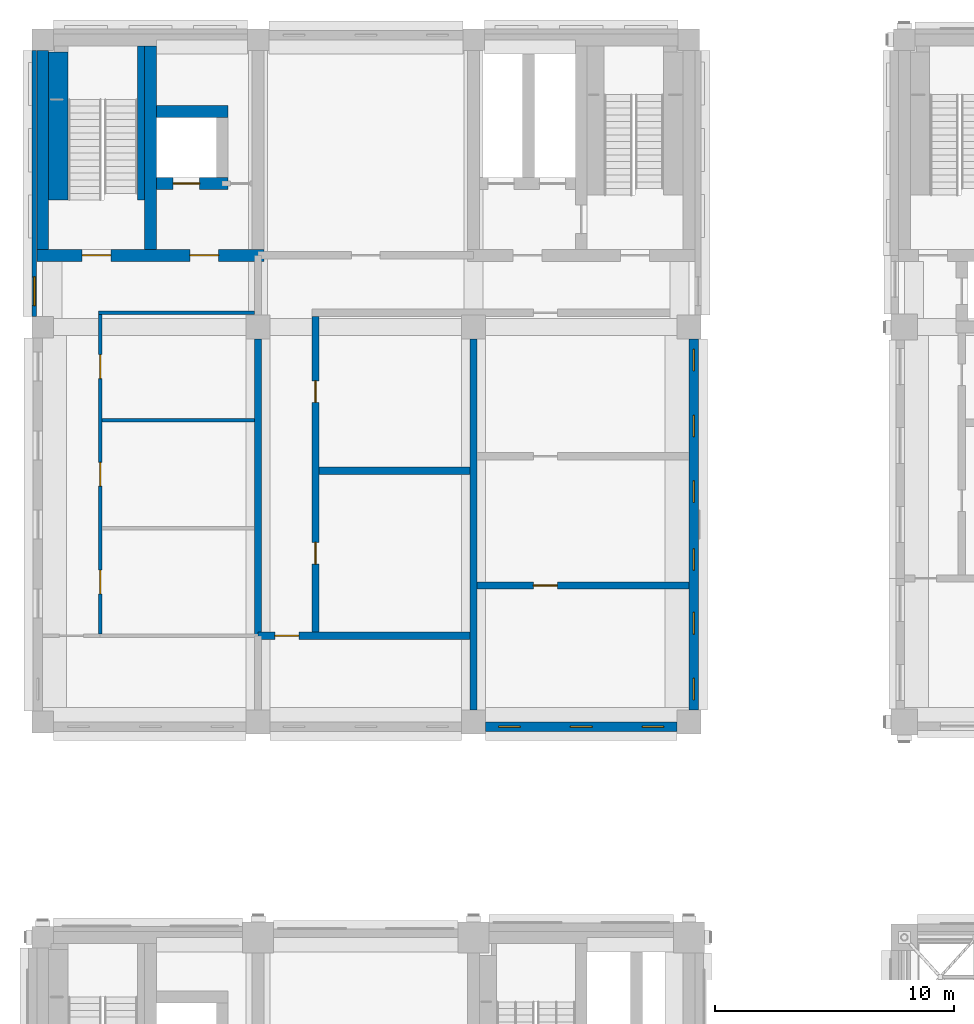
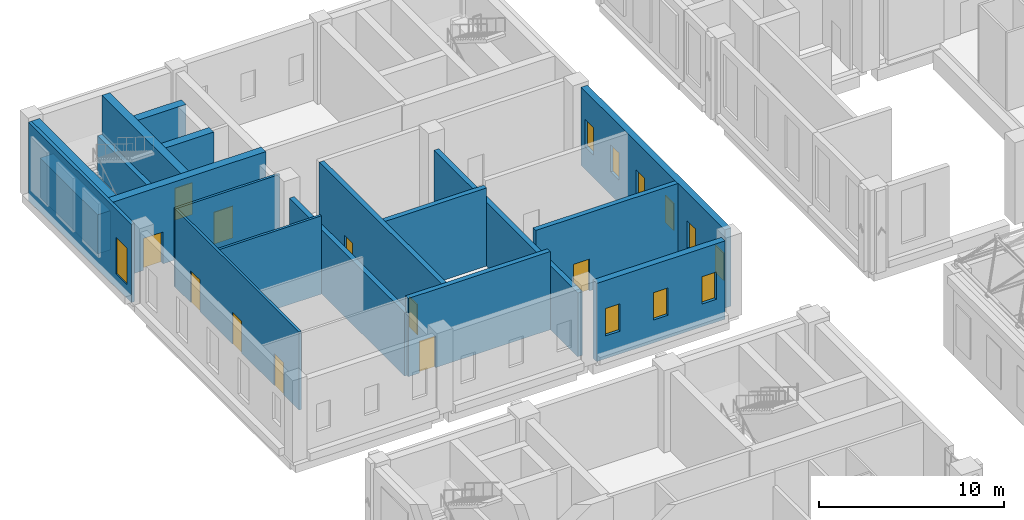
# One storey, part 29 of 53: 19 walls, 10 doors, 10 windows, 20 openings.
"""IFC4 building model written with IfcOpenShell, lengths in metres."""

from ifc_helpers import new_model, si_unit, direction, frame, frame_2d, origin, place, context, subcontext, project, spatial, rectangle, extrude, material, layer, layer_set, type_object, element, fill, save


model = new_model("IFC4")

# Units and contexts
model_context = context("Model", 3, precision=1e-05, world=origin(), true_north=direction((0.0, 1.0)))
body_context = subcontext(model_context, "Body", "Model", "MODEL_VIEW")
ifc_project = project(units=[si_unit("LENGTHUNIT", "METRE"), si_unit("AREAUNIT", "SQUARE_METRE"), si_unit("VOLUMEUNIT", "CUBIC_METRE"), si_unit("PLANEANGLEUNIT", "RADIAN"), si_unit("MASSUNIT", "GRAM", prefix="KILO")], contexts=[model_context])

# Site, building, storey
site_placement = place(None, origin())
site = spatial("IfcSite", under=ifc_project, at=site_placement, CompositionType="ELEMENT")
building_placement = place(site_placement, origin())
building = spatial("IfcBuilding", under=site, at=building_placement, Name="Aurelan Courthouse", CompositionType="ELEMENT")
storey_placement = place(building_placement, frame((0.0, 0.0, 12.0)))
storey = spatial("IfcBuildingStorey", under=building, at=storey_placement, Name="L02", CompositionType="ELEMENT", Elevation=12.0)

# Wall
ifc_material_1 = material(Name="Gypsum board on metal studs")
ifc_layer_1 = layer(ifc_material_1, 0.14990234375)
ifc_layer_set_1 = layer_set([ifc_layer_1], Name="Gypsum board on metal studs")
wall_type_1 = type_object("IfcWallType", Name="Corridor partition 150 EI 60", PredefinedType="PARTITIONING", material=ifc_layer_set_1)
wall_1_placement = place(storey_placement, frame((2.324951171875, 54.60009765625, 0.0), z_axis=(0.0, 0.0, 1.0), x_axis=(1.0, 0.0, 0.0)))
element("IfcWall", 1, at=wall_1_placement, inside=storey, type_object=wall_type_1, Name="Corridor partition L02-038", PredefinedType="PARTITIONING", context=body_context, shape_type="SweptSolid", body=[
    extrude(rectangle(XDim=6.525146484375, YDim=0.14990234375, at=frame_2d((3.2626953125, 0.0))), origin(), (0.0, 0.0, 1.0), 5.14990234375),
])

# Wall, openings, doors
wall_2_placement = place(storey_placement, frame((2.39990234375, 41.175048828125, 0.0), z_axis=(0.0, 0.0, 1.0), x_axis=(0.0, 1.0, 0.0)))
wall_2 = element("IfcWall", 2, at=wall_2_placement, inside=storey, type_object=wall_type_1, Name="Corridor partition L02-051", PredefinedType="PARTITIONING", context=body_context, shape_type="SweptSolid", body=[
    extrude(rectangle(XDim=13.349853515625, YDim=0.14990234375, at=frame_2d((6.6748046875, 0.0))), origin(), (0.0, 0.0, 1.0), 5.14990234375),
])
opening_1_placement = place(wall_2_placement, frame((11.675048828125, 0.0, 0.0), z_axis=(0.0, 0.0, 1.0), x_axis=(-1.0, 0.0, 0.0)))
opening_1 = element("IfcOpeningElement", 3, at=opening_1_placement, cuts=wall_2, Name="Opening D-L02-083", PredefinedType="OPENING", context=body_context, shape_type="SweptSolid", body=[
    extrude(rectangle(XDim=1.0, YDim=2.10009765625, at=frame_2d((0.5, 1.050048828125))), frame((0.0, 0.0849609375, 0.0), z_axis=(0.0, -1.0, 0.0), x_axis=(1.0, 0.0, 0.0)), (0.0, 0.0, 1.0), 0.169921875),
])
opening_2_placement = place(wall_2_placement, frame((7.175048828125, 0.0, 0.0), z_axis=(0.0, 0.0, 1.0), x_axis=(-1.0, 0.0, 0.0)))
opening_2 = element("IfcOpeningElement", 4, at=opening_2_placement, cuts=wall_2, Name="Opening D-L02-084", PredefinedType="OPENING", context=body_context, shape_type="SweptSolid", body=[
    extrude(rectangle(XDim=1.0, YDim=2.10009765625, at=frame_2d((0.5, 1.050048828125))), frame((0.0, 0.0849609375, 0.0), z_axis=(0.0, -1.0, 0.0), x_axis=(1.0, 0.0, 0.0)), (0.0, 0.0, 1.0), 0.169921875),
])
opening_3_placement = place(wall_2_placement, frame((2.675048828125, 0.0, 0.0), z_axis=(0.0, 0.0, 1.0), x_axis=(-1.0, 0.0, 0.0)))
opening_3 = element("IfcOpeningElement", 5, at=opening_3_placement, cuts=wall_2, Name="Opening D-L02-085", PredefinedType="OPENING", context=body_context, shape_type="SweptSolid", body=[
    extrude(rectangle(XDim=1.0, YDim=2.10009765625, at=frame_2d((0.5, 1.050048828125))), frame((0.0, 0.0849609375, 0.0), z_axis=(0.0, -1.0, 0.0), x_axis=(1.0, 0.0, 0.0)), (0.0, 0.0, 1.0), 0.169921875),
])
ifc_material_2 = material(Name="Steel", Category="steel")
door_type_1 = type_object("IfcDoorType", Name="Single door 1000 x 2100 FD60", OperationType="SINGLE_SWING_LEFT", PredefinedType="DOOR", material=ifc_material_2)
door_1_placement = place(opening_1_placement, origin())
door_1 = element("IfcDoor", 6, at=door_1_placement, inside=storey, type_object=door_type_1, Name="Single door D-L02-083", OperationType="SINGLE_SWING_LEFT", OverallHeight=2.10009765625, OverallWidth=1.0, PredefinedType="DOOR", context=body_context, shape_type="SweptSolid", body=[
    extrude(rectangle(XDim=1.0, YDim=2.10009765625, at=frame_2d((0.5, 1.050048828125))), frame((0.0, 0.02490234375, 0.0), z_axis=(0.0, -1.0, 0.0), x_axis=(1.0, 0.0, 0.0)), (0.0, 0.0, 1.0), 0.050048828125),
])
fill(opening_1, door_1)
door_2_placement = place(opening_2_placement, origin())
door_2 = element("IfcDoor", 7, at=door_2_placement, inside=storey, type_object=door_type_1, Name="Single door D-L02-084", OperationType="SINGLE_SWING_RIGHT", OverallHeight=2.10009765625, OverallWidth=1.0, PredefinedType="DOOR", context=body_context, shape_type="SweptSolid", body=[
    extrude(rectangle(XDim=1.0, YDim=2.10009765625, at=frame_2d((0.5, 1.050048828125))), frame((0.0, 0.02490234375, 0.0), z_axis=(0.0, -1.0, 0.0), x_axis=(1.0, 0.0, 0.0)), (0.0, 0.0, 1.0), 0.050048828125),
])
fill(opening_2, door_2)
door_3_placement = place(opening_3_placement, origin())
door_3 = element("IfcDoor", 8, at=door_3_placement, inside=storey, type_object=door_type_1, Name="Single door D-L02-085", OperationType="SINGLE_SWING_LEFT", OverallHeight=2.10009765625, OverallWidth=1.0, PredefinedType="DOOR", context=body_context, shape_type="SweptSolid", body=[
    extrude(rectangle(XDim=1.0, YDim=2.10009765625, at=frame_2d((0.5, 1.050048828125))), frame((0.0, 0.02490234375, 0.0), z_axis=(0.0, -1.0, 0.0), x_axis=(1.0, 0.0, 0.0)), (0.0, 0.0, 1.0), 0.050048828125),
])
fill(opening_3, door_3)

# Wall, opening, window
ifc_material_3 = material(Name="Limestone cladding", Category="masonry")
ifc_layer_2 = layer(ifc_material_3, 0.054931640625, Name="Facing")
ifc_material_4 = material(Name="Ventilated cavity")
ifc_layer_3 = layer(ifc_material_4, 0.02490234375, ventilated=True, Name="Ventilated cavity")
ifc_material_5 = material(Name="Mineral wool insulation")
ifc_layer_4 = layer(ifc_material_5, 0.030029296875, Name="Insulation")
ifc_material_6 = material(Name="Concrete C30", Category="concrete")
ifc_layer_5 = layer(ifc_material_6, 0.090087890625, Name="Structure")
ifc_layer_set_2 = layer_set([ifc_layer_2, ifc_layer_3, ifc_layer_4, ifc_layer_5], Name="Concrete C30")
wall_type_2 = type_object("IfcWallType", Name="Custody Suite stone-faced wall 200", PredefinedType="SOLIDWALL", material=ifc_layer_set_2)
wall_3_placement = place(storey_placement, frame((-0.35009765625, 54.449951171875, 0.0), z_axis=(0.0, 0.0, 1.0), x_axis=(0.0, 1.0, 0.0)))
wall_3 = element("IfcWall", 9, at=wall_3_placement, inside=storey, type_object=wall_type_2, Name="Facade wall FW-V6-L02-010", PredefinedType="SOLIDWALL", context=body_context, shape_type="SweptSolid", body=[
    extrude(rectangle(XDim=11.10009765625, YDim=0.199951171875, at=frame_2d((5.550048828125, 0.0))), origin(), (0.0, 0.0, 1.0), 5.14990234375),
])
opening_4_placement = place(wall_3_placement, frame((0.449951171875, 0.0, 0.89990234375)))
opening_4 = element("IfcOpeningElement", 10, at=opening_4_placement, cuts=wall_3, Name="Opening WN-V6-L02-025", PredefinedType="OPENING", context=body_context, shape_type="SweptSolid", body=[
    extrude(rectangle(XDim=1.199951171875, YDim=2.39990234375, at=frame_2d((0.60009765625, 1.199951171875))), frame((0.0, 0.10986328125, 0.0), z_axis=(0.0, -1.0, 0.0), x_axis=(1.0, 0.0, 0.0)), (0.0, 0.0, 1.0), 0.219970703125),
])
ifc_material_7 = material(Name="Bronze-finished aluminium and glass", Category="aluminium")
window_type_1 = type_object("IfcWindowType", Name="Custody Suite glazed slot 1200 x 2400, sill 900", PartitioningType="SINGLE_PANEL", PredefinedType="WINDOW", material=ifc_material_7)
window_1_placement = place(opening_4_placement, origin())
window_1 = element("IfcWindow", 11, at=window_1_placement, inside=storey, type_object=window_type_1, Name="Glazed slot WN-V6-L02-025", OverallHeight=2.39990234375, OverallWidth=1.199951171875, PartitioningType="SINGLE_PANEL", PredefinedType="WINDOW", context=body_context, shape_type="SweptSolid", body=[
    extrude(rectangle(XDim=1.199951171875, YDim=2.39990234375, at=frame_2d((0.60009765625, 1.199951171875))), frame((0.0, 0.030029296875, 0.0), z_axis=(0.0, -1.0, 0.0), x_axis=(1.0, 0.0, 0.0)), (0.0, 0.0, 1.0), 0.06005859375),
])
fill(opening_4, window_1)

# Wall, openings, windows
ifc_layer_6 = layer(ifc_material_3, 0.114990234375, Name="Facing")
ifc_layer_7 = layer(ifc_material_4, 0.02490234375, ventilated=True, Name="Ventilated cavity")
ifc_layer_8 = layer(ifc_material_5, 0.054931640625, Name="Insulation")
ifc_layer_9 = layer(ifc_material_6, 0.205078125, Name="Structure")
ifc_layer_set_3 = layer_set([ifc_layer_6, ifc_layer_7, ifc_layer_8, ifc_layer_9], Name="Concrete C30")
wall_type_3 = type_object("IfcWallType", Name="Custody Suite stone-faced wall 400", PredefinedType="SOLIDWALL", material=ifc_layer_set_3)
wall_4_placement = place(storey_placement, frame((18.5, 37.300048828125, 0.0), z_axis=(0.0, 0.0, 1.0), x_axis=(1.0, 0.0, 0.0)))
wall_4 = element("IfcWall", 12, at=wall_4_placement, inside=storey, type_object=wall_type_3, Name="Facade wall FW-V6-L02-003", PredefinedType="SOLIDWALL", context=body_context, shape_type="SweptSolid", body=[
    extrude(rectangle(XDim=8.0, YDim=0.39990234375, at=frame_2d((4.0, 0.0))), origin(), (0.0, 0.0, 1.0), 5.14990234375),
])
opening_5_placement = place(wall_4_placement, frame((0.550048828125, 0.0, 1.5)))
opening_5 = element("IfcOpeningElement", 13, at=opening_5_placement, cuts=wall_4, Name="Opening WN-V6-L02-007", PredefinedType="OPENING", context=body_context, shape_type="SweptSolid", body=[
    extrude(rectangle(XDim=0.89990234375, YDim=1.800048828125, at=frame_2d((0.449951171875, 0.89990234375))), frame((0.0, 0.2099609375, 0.0), z_axis=(0.0, -1.0, 0.0), x_axis=(1.0, 0.0, 0.0)), (0.0, 0.0, 1.0), 0.419921875),
])
opening_6_placement = place(wall_4_placement, frame((3.550048828125, 0.0, 1.5)))
opening_6 = element("IfcOpeningElement", 14, at=opening_6_placement, cuts=wall_4, Name="Opening WN-V6-L02-008", PredefinedType="OPENING", context=body_context, shape_type="SweptSolid", body=[
    extrude(rectangle(XDim=0.89990234375, YDim=1.800048828125, at=frame_2d((0.449951171875, 0.89990234375))), frame((0.0, 0.2099609375, 0.0), z_axis=(0.0, -1.0, 0.0), x_axis=(1.0, 0.0, 0.0)), (0.0, 0.0, 1.0), 0.419921875),
])
opening_7_placement = place(wall_4_placement, frame((6.550048828125, 0.0, 1.5)))
opening_7 = element("IfcOpeningElement", 15, at=opening_7_placement, cuts=wall_4, Name="Opening WN-V6-L02-009", PredefinedType="OPENING", context=body_context, shape_type="SweptSolid", body=[
    extrude(rectangle(XDim=0.89990234375, YDim=1.800048828125, at=frame_2d((0.449951171875, 0.89990234375))), frame((0.0, 0.2099609375, 0.0), z_axis=(0.0, -1.0, 0.0), x_axis=(1.0, 0.0, 0.0)), (0.0, 0.0, 1.0), 0.419921875),
])
window_type_2 = type_object("IfcWindowType", Name="Custody Suite window 900 x 1800, sill 1500", PartitioningType="SINGLE_PANEL", PredefinedType="WINDOW", material=ifc_material_7)
window_2_placement = place(opening_5_placement, origin())
window_2 = element("IfcWindow", 16, at=window_2_placement, inside=storey, type_object=window_type_2, Name="Window WN-V6-L02-007", OverallHeight=1.800048828125, OverallWidth=0.89990234375, PartitioningType="SINGLE_PANEL", PredefinedType="WINDOW", context=body_context, shape_type="SweptSolid", body=[
    extrude(rectangle(XDim=0.89990234375, YDim=1.800048828125, at=frame_2d((0.449951171875, 0.89990234375))), frame((0.0, 0.030029296875, 0.0), z_axis=(0.0, -1.0, 0.0), x_axis=(1.0, 0.0, 0.0)), (0.0, 0.0, 1.0), 0.06005859375),
])
fill(opening_5, window_2)
window_3_placement = place(opening_6_placement, origin())
window_3 = element("IfcWindow", 17, at=window_3_placement, inside=storey, type_object=window_type_2, Name="Window WN-V6-L02-008", OverallHeight=1.800048828125, OverallWidth=0.89990234375, PartitioningType="SINGLE_PANEL", PredefinedType="WINDOW", context=body_context, shape_type="SweptSolid", body=[
    extrude(rectangle(XDim=0.89990234375, YDim=1.800048828125, at=frame_2d((0.449951171875, 0.89990234375))), frame((0.0, 0.030029296875, 0.0), z_axis=(0.0, -1.0, 0.0), x_axis=(1.0, 0.0, 0.0)), (0.0, 0.0, 1.0), 0.06005859375),
])
fill(opening_6, window_3)
window_4_placement = place(opening_7_placement, origin())
window_4 = element("IfcWindow", 18, at=window_4_placement, inside=storey, type_object=window_type_2, Name="Window WN-V6-L02-009", OverallHeight=1.800048828125, OverallWidth=0.89990234375, PartitioningType="SINGLE_PANEL", PredefinedType="WINDOW", context=body_context, shape_type="SweptSolid", body=[
    extrude(rectangle(XDim=0.89990234375, YDim=1.800048828125, at=frame_2d((0.449951171875, 0.89990234375))), frame((0.0, 0.030029296875, 0.0), z_axis=(0.0, -1.0, 0.0), x_axis=(1.0, 0.0, 0.0)), (0.0, 0.0, 1.0), 0.06005859375),
])
fill(opening_7, window_4)

wall_5_placement = place(storey_placement, frame((27.199951171875, 38.0, 0.0), z_axis=(0.0, 0.0, 1.0), x_axis=(0.0, 1.0, 0.0)))
wall_5 = element("IfcWall", 19, at=wall_5_placement, inside=storey, type_object=wall_type_3, Name="Facade wall FW-V6-L02-007", PredefinedType="SOLIDWALL", context=body_context, shape_type="SweptSolid", body=[
    extrude(rectangle(XDim=15.5, YDim=0.39990234375, at=frame_2d((7.75, 0.0))), origin(), (0.0, 0.0, 1.0), 5.14990234375),
])
opening_8_placement = place(wall_5_placement, frame((0.425048828125, 0.0, 1.5)))
opening_8 = element("IfcOpeningElement", 20, at=opening_8_placement, cuts=wall_5, Name="Opening WN-V6-L02-013", PredefinedType="OPENING", context=body_context, shape_type="SweptSolid", body=[
    extrude(rectangle(XDim=0.89990234375, YDim=1.800048828125, at=frame_2d((0.449951171875, 0.89990234375))), frame((0.0, 0.2099609375, 0.0), z_axis=(0.0, -1.0, 0.0), x_axis=(1.0, 0.0, 0.0)), (0.0, 0.0, 1.0), 0.419921875),
])
opening_9_placement = place(wall_5_placement, frame((3.175048828125, 0.0, 1.5)))
opening_9 = element("IfcOpeningElement", 21, at=opening_9_placement, cuts=wall_5, Name="Opening WN-V6-L02-014", PredefinedType="OPENING", context=body_context, shape_type="SweptSolid", body=[
    extrude(rectangle(XDim=0.89990234375, YDim=1.800048828125, at=frame_2d((0.449951171875, 0.89990234375))), frame((0.0, 0.2099609375, 0.0), z_axis=(0.0, -1.0, 0.0), x_axis=(1.0, 0.0, 0.0)), (0.0, 0.0, 1.0), 0.419921875),
])
opening_10_placement = place(wall_5_placement, frame((5.844970703125, 0.0, 1.5)))
opening_10 = element("IfcOpeningElement", 22, at=opening_10_placement, cuts=wall_5, Name="Opening WN-V6-L02-015", PredefinedType="OPENING", context=body_context, shape_type="SweptSolid", body=[
    extrude(rectangle(XDim=0.89990234375, YDim=1.800048828125, at=frame_2d((0.449951171875, 0.89990234375))), frame((0.0, 0.2099609375, 0.0), z_axis=(0.0, -1.0, 0.0), x_axis=(1.0, 0.0, 0.0)), (0.0, 0.0, 1.0), 0.419921875),
])
opening_11_placement = place(wall_5_placement, frame((8.675048828125, 0.0, 1.5)))
opening_11 = element("IfcOpeningElement", 23, at=opening_11_placement, cuts=wall_5, Name="Opening WN-V6-L02-016", PredefinedType="OPENING", context=body_context, shape_type="SweptSolid", body=[
    extrude(rectangle(XDim=0.89990234375, YDim=1.800048828125, at=frame_2d((0.449951171875, 0.89990234375))), frame((0.0, 0.2099609375, 0.0), z_axis=(0.0, -1.0, 0.0), x_axis=(1.0, 0.0, 0.0)), (0.0, 0.0, 1.0), 0.419921875),
])
opening_12_placement = place(wall_5_placement, frame((11.425048828125, 0.0, 1.5)))
opening_12 = element("IfcOpeningElement", 24, at=opening_12_placement, cuts=wall_5, Name="Opening WN-V6-L02-017", PredefinedType="OPENING", context=body_context, shape_type="SweptSolid", body=[
    extrude(rectangle(XDim=0.89990234375, YDim=1.800048828125, at=frame_2d((0.449951171875, 0.89990234375))), frame((0.0, 0.2099609375, 0.0), z_axis=(0.0, -1.0, 0.0), x_axis=(1.0, 0.0, 0.0)), (0.0, 0.0, 1.0), 0.419921875),
])
opening_13_placement = place(wall_5_placement, frame((14.175048828125, 0.0, 1.5)))
opening_13 = element("IfcOpeningElement", 25, at=opening_13_placement, cuts=wall_5, Name="Opening WN-V6-L02-018", PredefinedType="OPENING", context=body_context, shape_type="SweptSolid", body=[
    extrude(rectangle(XDim=0.89990234375, YDim=1.800048828125, at=frame_2d((0.449951171875, 0.89990234375))), frame((0.0, 0.2099609375, 0.0), z_axis=(0.0, -1.0, 0.0), x_axis=(1.0, 0.0, 0.0)), (0.0, 0.0, 1.0), 0.419921875),
])
window_5_placement = place(opening_8_placement, origin())
window_5 = element("IfcWindow", 26, at=window_5_placement, inside=storey, type_object=window_type_2, Name="Window WN-V6-L02-013", OverallHeight=1.800048828125, OverallWidth=0.89990234375, PartitioningType="SINGLE_PANEL", PredefinedType="WINDOW", context=body_context, shape_type="SweptSolid", body=[
    extrude(rectangle(XDim=0.89990234375, YDim=1.800048828125, at=frame_2d((0.449951171875, 0.89990234375))), frame((0.0, 0.030029296875, 0.0), z_axis=(0.0, -1.0, 0.0), x_axis=(1.0, 0.0, 0.0)), (0.0, 0.0, 1.0), 0.06005859375),
])
fill(opening_8, window_5)
window_6_placement = place(opening_9_placement, origin())
window_6 = element("IfcWindow", 27, at=window_6_placement, inside=storey, type_object=window_type_2, Name="Window WN-V6-L02-014", OverallHeight=1.800048828125, OverallWidth=0.89990234375, PartitioningType="SINGLE_PANEL", PredefinedType="WINDOW", context=body_context, shape_type="SweptSolid", body=[
    extrude(rectangle(XDim=0.89990234375, YDim=1.800048828125, at=frame_2d((0.449951171875, 0.89990234375))), frame((0.0, 0.030029296875, 0.0), z_axis=(0.0, -1.0, 0.0), x_axis=(1.0, 0.0, 0.0)), (0.0, 0.0, 1.0), 0.06005859375),
])
fill(opening_9, window_6)
window_7_placement = place(opening_10_placement, origin())
window_7 = element("IfcWindow", 28, at=window_7_placement, inside=storey, type_object=window_type_2, Name="Window WN-V6-L02-015", OverallHeight=1.800048828125, OverallWidth=0.89990234375, PartitioningType="SINGLE_PANEL", PredefinedType="WINDOW", context=body_context, shape_type="SweptSolid", body=[
    extrude(rectangle(XDim=0.89990234375, YDim=1.800048828125, at=frame_2d((0.449951171875, 0.89990234375))), frame((0.0, 0.030029296875, 0.0), z_axis=(0.0, -1.0, 0.0), x_axis=(1.0, 0.0, 0.0)), (0.0, 0.0, 1.0), 0.06005859375),
])
fill(opening_10, window_7)
window_8_placement = place(opening_11_placement, origin())
window_8 = element("IfcWindow", 29, at=window_8_placement, inside=storey, type_object=window_type_2, Name="Window WN-V6-L02-016", OverallHeight=1.800048828125, OverallWidth=0.89990234375, PartitioningType="SINGLE_PANEL", PredefinedType="WINDOW", context=body_context, shape_type="SweptSolid", body=[
    extrude(rectangle(XDim=0.89990234375, YDim=1.800048828125, at=frame_2d((0.449951171875, 0.89990234375))), frame((0.0, 0.030029296875, 0.0), z_axis=(0.0, -1.0, 0.0), x_axis=(1.0, 0.0, 0.0)), (0.0, 0.0, 1.0), 0.06005859375),
])
fill(opening_11, window_8)
window_9_placement = place(opening_12_placement, origin())
window_9 = element("IfcWindow", 30, at=window_9_placement, inside=storey, type_object=window_type_2, Name="Window WN-V6-L02-017", OverallHeight=1.800048828125, OverallWidth=0.89990234375, PartitioningType="SINGLE_PANEL", PredefinedType="WINDOW", context=body_context, shape_type="SweptSolid", body=[
    extrude(rectangle(XDim=0.89990234375, YDim=1.800048828125, at=frame_2d((0.449951171875, 0.89990234375))), frame((0.0, 0.030029296875, 0.0), z_axis=(0.0, -1.0, 0.0), x_axis=(1.0, 0.0, 0.0)), (0.0, 0.0, 1.0), 0.06005859375),
])
fill(opening_12, window_9)
window_10_placement = place(opening_13_placement, origin())
window_10 = element("IfcWindow", 31, at=window_10_placement, inside=storey, type_object=window_type_2, Name="Window WN-V6-L02-018", OverallHeight=1.800048828125, OverallWidth=0.89990234375, PartitioningType="SINGLE_PANEL", PredefinedType="WINDOW", context=body_context, shape_type="SweptSolid", body=[
    extrude(rectangle(XDim=0.89990234375, YDim=1.800048828125, at=frame_2d((0.449951171875, 0.89990234375))), frame((0.0, 0.030029296875, 0.0), z_axis=(0.0, -1.0, 0.0), x_axis=(1.0, 0.0, 0.0)), (0.0, 0.0, 1.0), 0.06005859375),
])
fill(opening_13, window_10)

# Wall, opening, door
ifc_layer_10 = layer(ifc_material_6, 0.300048828125)
ifc_layer_set_4 = layer_set([ifc_layer_10], Name="Concrete C30")
wall_type_4 = type_object("IfcWallType", Name="Custody wall 300 EI 120", PredefinedType="PARTITIONING", material=ifc_layer_set_4)
wall_6_placement = place(storey_placement, frame((9.0, 41.10009765625, 0.0), z_axis=(0.0, 0.0, 1.0), x_axis=(1.0, 0.0, 0.0)))
wall_6 = element("IfcWall", 32, at=wall_6_placement, inside=storey, type_object=wall_type_4, Name="Custody wall L02-019", PredefinedType="PARTITIONING", context=body_context, shape_type="SweptSolid", body=[
    extrude(rectangle(XDim=8.85009765625, YDim=0.300048828125, at=frame_2d((4.425048828125, 0.0))), origin(), (0.0, 0.0, 1.0), 5.14990234375),
])
opening_14_placement = place(wall_6_placement, frame((1.699951171875, 0.0, 0.0), z_axis=(0.0, 0.0, 1.0), x_axis=(-1.0, 0.0, 0.0)))
opening_14 = element("IfcOpeningElement", 33, at=opening_14_placement, cuts=wall_6, Name="Opening D-L02-087", PredefinedType="OPENING", context=body_context, shape_type="SweptSolid", body=[
    extrude(rectangle(XDim=1.0, YDim=2.10009765625, at=frame_2d((0.5, 1.050048828125))), frame((0.0, 0.159912109375, 0.0), z_axis=(0.0, -1.0, 0.0), x_axis=(1.0, 0.0, 0.0)), (0.0, 0.0, 1.0), 0.320068359375),
])
door_type_2 = type_object("IfcDoorType", Name="Single door 1000 x 2100 FD120", OperationType="SINGLE_SWING_LEFT", PredefinedType="DOOR", material=ifc_material_2)
door_4_placement = place(opening_14_placement, origin())
door_4 = element("IfcDoor", 34, at=door_4_placement, inside=storey, type_object=door_type_2, Name="Single door D-L02-087", OperationType="SINGLE_SWING_RIGHT", OverallHeight=2.10009765625, OverallWidth=1.0, PredefinedType="DOOR", context=body_context, shape_type="SweptSolid", body=[
    extrude(rectangle(XDim=1.0, YDim=2.10009765625, at=frame_2d((0.5, 1.050048828125))), frame((0.0, 0.02490234375, 0.0), z_axis=(0.0, -1.0, 0.0), x_axis=(1.0, 0.0, 0.0)), (0.0, 0.0, 1.0), 0.050048828125),
])
fill(opening_14, door_4)

wall_7_placement = place(storey_placement, frame((18.14990234375, 43.199951171875, 0.0), z_axis=(0.0, 0.0, 1.0), x_axis=(1.0, 0.0, 0.0)))
wall_7 = element("IfcWall", 35, at=wall_7_placement, inside=storey, type_object=wall_type_4, Name="Custody wall L02-020", PredefinedType="PARTITIONING", context=body_context, shape_type="SweptSolid", body=[
    extrude(rectangle(XDim=8.85009765625, YDim=0.300048828125, at=frame_2d((4.425048828125, 0.0))), origin(), (0.0, 0.0, 1.0), 5.14990234375),
])
opening_15_placement = place(wall_7_placement, frame((3.35009765625, 0.0, 0.0), z_axis=(0.0, 0.0, 1.0), x_axis=(-1.0, 0.0, 0.0)))
opening_15 = element("IfcOpeningElement", 36, at=opening_15_placement, cuts=wall_7, Name="Opening D-L02-092", PredefinedType="OPENING", context=body_context, shape_type="SweptSolid", body=[
    extrude(rectangle(XDim=1.0, YDim=2.10009765625, at=frame_2d((0.5, 1.050048828125))), frame((0.0, 0.159912109375, 0.0), z_axis=(0.0, -1.0, 0.0), x_axis=(1.0, 0.0, 0.0)), (0.0, 0.0, 1.0), 0.320068359375),
])
door_5_placement = place(opening_15_placement, origin())
door_5 = element("IfcDoor", 37, at=door_5_placement, inside=storey, type_object=door_type_2, Name="Single door D-L02-092", OperationType="SINGLE_SWING_RIGHT", OverallHeight=2.10009765625, OverallWidth=1.0, PredefinedType="DOOR", context=body_context, shape_type="SweptSolid", body=[
    extrude(rectangle(XDim=1.0, YDim=2.10009765625, at=frame_2d((0.5, 1.050048828125))), frame((0.0, 0.02490234375, 0.0), z_axis=(0.0, -1.0, 0.0), x_axis=(1.0, 0.0, 0.0)), (0.0, 0.0, 1.0), 0.050048828125),
])
fill(opening_15, door_5)

# Walls
wall_8_placement = place(storey_placement, frame((11.550048828125, 48.0, 0.0), z_axis=(0.0, 0.0, 1.0), x_axis=(1.0, 0.0, 0.0)))
element("IfcWall", 38, at=wall_8_placement, inside=storey, type_object=wall_type_4, Name="Custody wall L02-025", PredefinedType="PARTITIONING", context=body_context, shape_type="SweptSolid", body=[
    extrude(rectangle(XDim=6.300048828125, YDim=0.300048828125, at=frame_2d((3.14990234375, 0.0))), origin(), (0.0, 0.0, 1.0), 5.14990234375),
])
wall_9_placement = place(storey_placement, frame((9.0, 41.10009765625, 0.0), z_axis=(0.0, 0.0, 1.0), x_axis=(0.0, 1.0, 0.0)))
element("IfcWall", 39, at=wall_9_placement, inside=storey, type_object=wall_type_4, Name="Custody wall L02-057", PredefinedType="PARTITIONING", context=body_context, shape_type="SweptSolid", body=[
    extrude(rectangle(XDim=12.39990234375, YDim=0.300048828125, at=frame_2d((6.199951171875, 0.0))), origin(), (0.0, 0.0, 1.0), 4.199951171875),
])

# Wall, openings, doors
wall_10_placement = place(storey_placement, frame((11.39990234375, 41.25, 0.0), z_axis=(0.0, 0.0, 1.0), x_axis=(0.0, 1.0, 0.0)))
wall_10 = element("IfcWall", 40, at=wall_10_placement, inside=storey, type_object=wall_type_4, Name="Custody wall L02-059", PredefinedType="PARTITIONING", context=body_context, shape_type="SweptSolid", body=[
    extrude(rectangle(XDim=13.199951171875, YDim=0.300048828125, at=frame_2d((6.60009765625, 0.0))), origin(), (0.0, 0.0, 1.0), 5.14990234375),
])
opening_16_placement = place(wall_10_placement, frame((10.5, 0.0, 0.0), z_axis=(0.0, 0.0, 1.0), x_axis=(-1.0, 0.0, 0.0)))
opening_16 = element("IfcOpeningElement", 41, at=opening_16_placement, cuts=wall_10, Name="Opening D-L02-088", PredefinedType="OPENING", context=body_context, shape_type="SweptSolid", body=[
    extrude(rectangle(XDim=0.89990234375, YDim=2.0, at=frame_2d((0.449951171875, 1.0))), frame((0.0, 0.159912109375, 0.0), z_axis=(0.0, -1.0, 0.0), x_axis=(1.0, 0.0, 0.0)), (0.0, 0.0, 1.0), 0.320068359375),
])
opening_17_placement = place(wall_10_placement, frame((3.75, 0.0, 0.0), z_axis=(0.0, 0.0, 1.0), x_axis=(-1.0, 0.0, 0.0)))
opening_17 = element("IfcOpeningElement", 42, at=opening_17_placement, cuts=wall_10, Name="Opening D-L02-089", PredefinedType="OPENING", context=body_context, shape_type="SweptSolid", body=[
    extrude(rectangle(XDim=0.89990234375, YDim=2.0, at=frame_2d((0.449951171875, 1.0))), frame((0.0, 0.159912109375, 0.0), z_axis=(0.0, -1.0, 0.0), x_axis=(1.0, 0.0, 0.0)), (0.0, 0.0, 1.0), 0.320068359375),
])
door_type_3 = type_object("IfcDoorType", Name="Single door 900 x 2000 FD120", OperationType="SINGLE_SWING_LEFT", PredefinedType="DOOR", material=ifc_material_2)
door_6_placement = place(opening_16_placement, origin())
door_6 = element("IfcDoor", 43, at=door_6_placement, inside=storey, type_object=door_type_3, Name="Single door D-L02-088", OperationType="SINGLE_SWING_RIGHT", OverallHeight=2.0, OverallWidth=0.89990234375, PredefinedType="DOOR", context=body_context, shape_type="SweptSolid", body=[
    extrude(rectangle(XDim=0.89990234375, YDim=2.0, at=frame_2d((0.449951171875, 1.0))), frame((0.0, 0.02490234375, 0.0), z_axis=(0.0, -1.0, 0.0), x_axis=(1.0, 0.0, 0.0)), (0.0, 0.0, 1.0), 0.050048828125),
])
fill(opening_16, door_6)
door_7_placement = place(opening_17_placement, origin())
door_7 = element("IfcDoor", 44, at=door_7_placement, inside=storey, type_object=door_type_3, Name="Single door D-L02-089", OperationType="SINGLE_SWING_LEFT", OverallHeight=2.0, OverallWidth=0.89990234375, PredefinedType="DOOR", context=body_context, shape_type="SweptSolid", body=[
    extrude(rectangle(XDim=0.89990234375, YDim=2.0, at=frame_2d((0.449951171875, 1.0))), frame((0.0, 0.02490234375, 0.0), z_axis=(0.0, -1.0, 0.0), x_axis=(1.0, 0.0, 0.0)), (0.0, 0.0, 1.0), 0.050048828125),
])
fill(opening_17, door_7)

# Walls
wall_11_placement = place(storey_placement, frame((18.0, 38.0, 0.0), z_axis=(0.0, 0.0, 1.0), x_axis=(0.0, 1.0, 0.0)))
element("IfcWall", 45, at=wall_11_placement, inside=storey, type_object=wall_type_4, Name="Custody wall L02-063", PredefinedType="PARTITIONING", context=body_context, shape_type="SweptSolid", body=[
    extrude(rectangle(XDim=15.5, YDim=0.300048828125, at=frame_2d((7.75, 0.0))), origin(), (0.0, 0.0, 1.0), 4.199951171875),
])
ifc_layer_11 = layer(ifc_material_1, 0.14990234375)
ifc_layer_set_5 = layer_set([ifc_layer_11], Name="Gypsum board on metal studs")
wall_type_5 = type_object("IfcWallType", Name="Partition 150 NOT RATED", PredefinedType="PARTITIONING", material=ifc_layer_set_5)
wall_12_placement = place(storey_placement, frame((2.47509765625, 50.10009765625, 0.0), z_axis=(0.0, 0.0, 1.0), x_axis=(1.0, 0.0, 0.0)))
element("IfcWall", 46, at=wall_12_placement, inside=storey, type_object=wall_type_5, Name="Partition L02-030", PredefinedType="PARTITIONING", context=body_context, shape_type="SweptSolid", body=[
    extrude(rectangle(XDim=6.375, YDim=0.14990234375, at=frame_2d((3.1875, 0.0))), origin(), (0.0, 0.0, 1.0), 5.14990234375),
])

# Wall, openings, doors
ifc_material_8 = material(Name="Concrete C50", Category="concrete")
ifc_layer_12 = layer(ifc_material_8, 0.5)
ifc_layer_set_6 = layer_set([ifc_layer_12], Name="Concrete C50")
wall_type_6 = type_object("IfcWallType", Name="RC shear wall 500", PredefinedType="SHEAR", material=ifc_layer_set_6)
wall_13_placement = place(storey_placement, frame((-0.25, 57.0, 0.0), z_axis=(0.0, 0.0, 1.0), x_axis=(1.0, 0.0, 0.0)))
wall_13 = element("IfcWall", 47, at=wall_13_placement, inside=storey, type_object=wall_type_6, Name="Core wall SW-L02-037", PredefinedType="SHEAR", context=body_context, shape_type="SweptSolid", body=[
    extrude(rectangle(XDim=9.5, YDim=0.5, at=frame_2d((4.75, 0.0))), origin(), (0.0, 0.0, 1.0), 5.14990234375),
])
opening_18_placement = place(wall_13_placement, frame((1.89990234375, 0.0, 0.0)))
opening_18 = element("IfcOpeningElement", 48, at=opening_18_placement, cuts=wall_13, Name="Opening D-L02-073", PredefinedType="OPENING", context=body_context, shape_type="SweptSolid", body=[
    extrude(rectangle(XDim=1.199951171875, YDim=2.10009765625, at=frame_2d((0.60009765625, 1.050048828125))), frame((0.0, 0.260009765625, 0.0), z_axis=(0.0, -1.0, 0.0), x_axis=(1.0, 0.0, 0.0)), (0.0, 0.0, 1.0), 0.52001953125),
])
opening_19_placement = place(wall_13_placement, frame((7.599853515625, 0.0, 0.0), z_axis=(0.0, 0.0, 1.0), x_axis=(-1.0, 0.0, 0.0)))
opening_19 = element("IfcOpeningElement", 49, at=opening_19_placement, cuts=wall_13, Name="Opening D-L02-074", PredefinedType="OPENING", context=body_context, shape_type="SweptSolid", body=[
    extrude(rectangle(XDim=1.199951171875, YDim=2.10009765625, at=frame_2d((0.60009765625, 1.050048828125))), frame((0.0, 0.260009765625, 0.0), z_axis=(0.0, -1.0, 0.0), x_axis=(1.0, 0.0, 0.0)), (0.0, 0.0, 1.0), 0.52001953125),
])
door_type_4 = type_object("IfcDoorType", Name="Single door 1200 x 2100 FD90", OperationType="SINGLE_SWING_LEFT", PredefinedType="DOOR", material=ifc_material_2)
door_8_placement = place(opening_18_placement, origin())
door_8 = element("IfcDoor", 50, at=door_8_placement, inside=storey, type_object=door_type_4, Name="Single door D-L02-073", OperationType="SINGLE_SWING_RIGHT", OverallHeight=2.10009765625, OverallWidth=1.199951171875, PredefinedType="DOOR", context=body_context, shape_type="SweptSolid", body=[
    extrude(rectangle(XDim=1.199951171875, YDim=2.10009765625, at=frame_2d((0.60009765625, 1.050048828125))), frame((0.0, 0.02490234375, 0.0), z_axis=(0.0, -1.0, 0.0), x_axis=(1.0, 0.0, 0.0)), (0.0, 0.0, 1.0), 0.050048828125),
])
fill(opening_18, door_8)
door_9_placement = place(opening_19_placement, origin())
door_9 = element("IfcDoor", 51, at=door_9_placement, inside=storey, type_object=door_type_4, Name="Single door D-L02-074", OperationType="SINGLE_SWING_LEFT", OverallHeight=2.10009765625, OverallWidth=1.199951171875, PredefinedType="DOOR", context=body_context, shape_type="SweptSolid", body=[
    extrude(rectangle(XDim=1.199951171875, YDim=2.10009765625, at=frame_2d((0.60009765625, 1.050048828125))), frame((0.0, 0.02490234375, 0.0), z_axis=(0.0, -1.0, 0.0), x_axis=(1.0, 0.0, 0.0)), (0.0, 0.0, 1.0), 0.050048828125),
])
fill(opening_19, door_9)

# Walls
wall_14_placement = place(storey_placement, frame((0.0, 57.25, 0.0), z_axis=(0.0, 0.0, 1.0), x_axis=(0.0, 1.0, 0.0)))
element("IfcWall", 52, at=wall_14_placement, inside=storey, type_object=wall_type_6, Name="Core wall SW-L02-044", PredefinedType="SHEAR", context=body_context, shape_type="SweptSolid", body=[
    extrude(rectangle(XDim=8.300048828125, YDim=0.5, at=frame_2d((4.14990234375, 0.0))), origin(), (0.0, 0.0, 1.0), 5.14990234375),
])
wall_15_placement = place(storey_placement, frame((4.5, 57.25, 0.0), z_axis=(0.0, 0.0, 1.0), x_axis=(0.0, 1.0, 0.0)))
element("IfcWall", 53, at=wall_15_placement, inside=storey, type_object=wall_type_6, Name="Core wall SW-L02-045", PredefinedType="SHEAR", context=body_context, shape_type="SweptSolid", body=[
    extrude(rectangle(XDim=8.5, YDim=0.5, at=frame_2d((4.25, 0.0))), origin(), (0.0, 0.0, 1.0), 5.14990234375),
])

# Wall, opening, door
wall_16_placement = place(storey_placement, frame((4.75, 60.0, 0.0), z_axis=(0.0, 0.0, 1.0), x_axis=(1.0, 0.0, 0.0)))
wall_16 = element("IfcWall", 54, at=wall_16_placement, inside=storey, type_object=wall_type_6, Name="Core wall SW-L02-057", PredefinedType="SHEAR", context=body_context, shape_type="SweptSolid", body=[
    extrude(rectangle(XDim=3.0, YDim=0.5, at=frame_2d((1.5, 0.0))), origin(), (0.0, 0.0, 1.0), 5.14990234375),
])
opening_20_placement = place(wall_16_placement, frame((0.699951171875, 0.0, 0.0)))
opening_20 = element("IfcOpeningElement", 55, at=opening_20_placement, cuts=wall_16, Name="Opening LD-V6-S1-L02", PredefinedType="OPENING", context=body_context, shape_type="SweptSolid", body=[
    extrude(rectangle(XDim=1.10009765625, YDim=2.10009765625, at=frame_2d((0.550048828125, 1.050048828125))), frame((0.0, 0.260009765625, 0.0), z_axis=(0.0, -1.0, 0.0), x_axis=(1.0, 0.0, 0.0)), (0.0, 0.0, 1.0), 0.52001953125),
])
door_type_5 = type_object("IfcDoorType", Name="Lift landing door 1100 x 2100 FD90", OperationType="SLIDING_TO_LEFT", PredefinedType="DOOR", material=ifc_material_2)
door_10_placement = place(opening_20_placement, origin())
door_10 = element("IfcDoor", 56, at=door_10_placement, inside=storey, type_object=door_type_5, Name="Lift landing door LD-V6-S1-L02", OperationType="SLIDING_TO_LEFT", OverallHeight=2.10009765625, OverallWidth=1.10009765625, PredefinedType="DOOR", context=body_context, shape_type="SweptSolid", body=[
    extrude(rectangle(XDim=1.10009765625, YDim=2.10009765625, at=frame_2d((0.550048828125, 1.050048828125))), frame((0.0, 0.02490234375, 0.0), z_axis=(0.0, -1.0, 0.0), x_axis=(1.0, 0.0, 0.0)), (0.0, 0.0, 1.0), 0.050048828125),
])
fill(opening_20, door_10)

# Walls
wall_17_placement = place(storey_placement, frame((4.75, 63.0, 0.0), z_axis=(0.0, 0.0, 1.0), x_axis=(1.0, 0.0, 0.0)))
element("IfcWall", 57, at=wall_17_placement, inside=storey, type_object=wall_type_6, Name="Core wall SW-L02-068", PredefinedType="SHEAR", context=body_context, shape_type="SweptSolid", body=[
    extrude(rectangle(XDim=3.0, YDim=0.5, at=frame_2d((1.5, 0.0))), origin(), (0.0, 0.0, 1.0), 5.14990234375),
])
ifc_layer_13 = layer(ifc_material_6, 0.2900390625)
ifc_layer_set_7 = layer_set([ifc_layer_13], Name="Concrete C30")
wall_type_7 = type_object("IfcWallType", Name="Stair well wall 290 EI 120 load-bearing", PredefinedType="SHEAR", material=ifc_layer_set_7)
wall_18_placement = place(storey_placement, frame((4.10498046875, 59.31005859375, 0.0), z_axis=(0.0, 0.0, 1.0), x_axis=(0.0, 1.0, 0.0)))
element("IfcWall", 58, at=wall_18_placement, inside=storey, type_object=wall_type_7, Name="Stair well wall ST-6-L02 B", PredefinedType="SHEAR", context=body_context, shape_type="SweptSolid", body=[
    extrude(rectangle(XDim=6.43994140625, YDim=0.2900390625, at=frame_2d((3.219970703125, 0.0))), origin(), (0.0, 0.0, 1.0), 2.587158203125),
])
ifc_layer_14 = layer(ifc_material_6, 0.81005859375)
ifc_layer_set_8 = layer_set([ifc_layer_14], Name="Concrete C30")
wall_type_8 = type_object("IfcWallType", Name="Stair well wall 810 EI 120 load-bearing", PredefinedType="SHEAR", material=ifc_layer_set_8)
wall_19_placement = place(storey_placement, frame((0.655029296875, 59.31005859375, 0.0), z_axis=(0.0, 0.0, 1.0), x_axis=(0.0, 1.0, 0.0)))
element("IfcWall", 59, at=wall_19_placement, inside=storey, type_object=wall_type_8, Name="Stair well wall ST-6-L02 A", PredefinedType="SHEAR", context=body_context, shape_type="SweptSolid", body=[
    extrude(rectangle(XDim=6.18994140625, YDim=0.81005859375, at=frame_2d((3.094970703125, 0.0))), origin(), (0.0, 0.0, 1.0), 2.587158203125),
])

save(model, "model.ifc")
